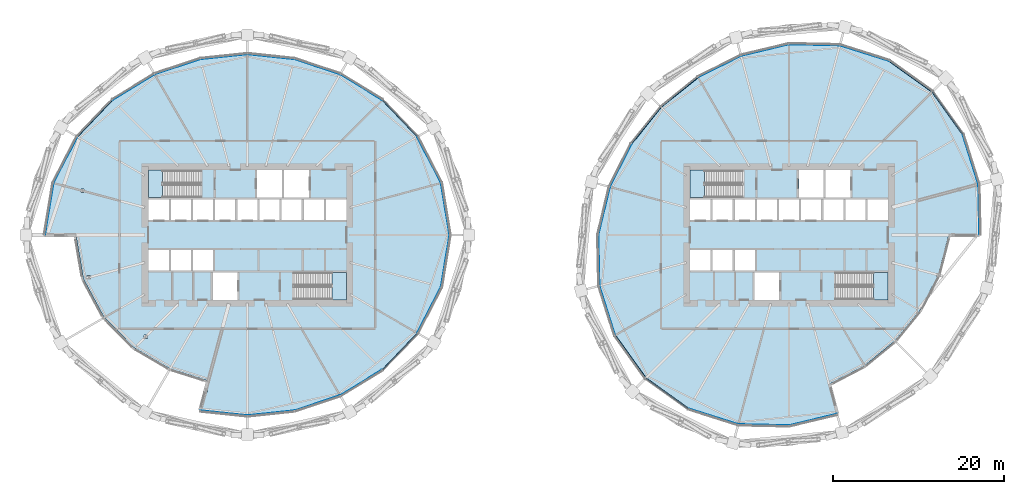
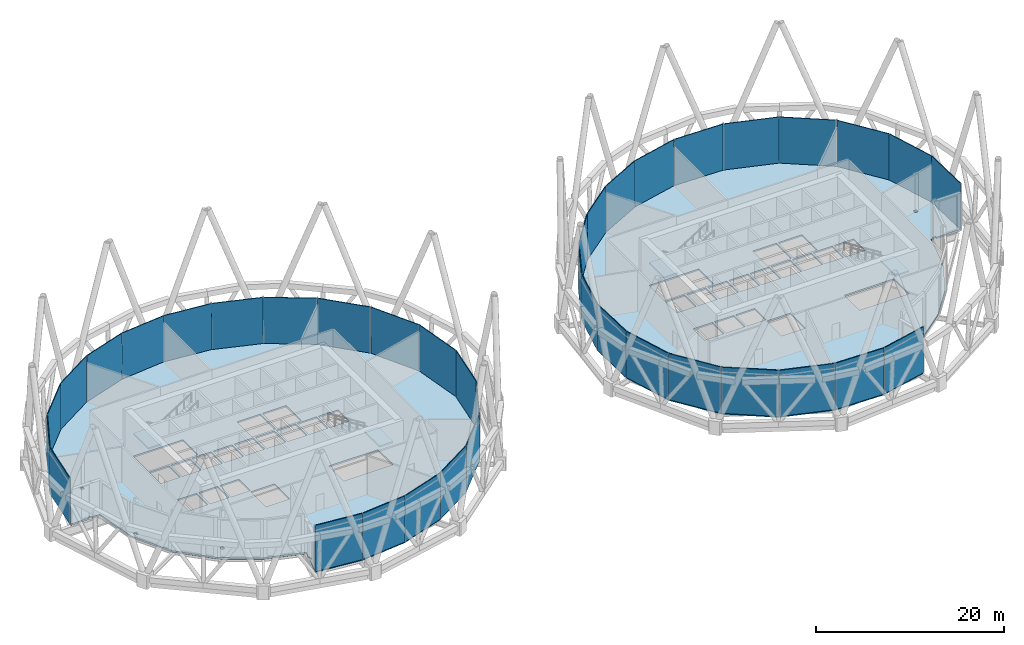
# One storey, part 25 of 33: 38 plates, 6 slabs, 6 elements without a shape of their own.
"""IFC4 building model written with IfcOpenShell, lengths in metres."""

from ifc_helpers import new_model, si_unit, direction, frame, origin, origin_2d, place, context, subcontext, project, spatial, polyline, rectangle, outline, extrude, material, layer, layer_set, type_object, element, aggregate, save


model = new_model("IFC4")

# Units and contexts
model_context = context("Model", 3, precision=1e-05, world=origin(), true_north=direction((0.0, 1.0)))
body_context = subcontext(model_context, "Body", "Model", "MODEL_VIEW")
ifc_project = project(units=[si_unit("LENGTHUNIT", "METRE"), si_unit("AREAUNIT", "SQUARE_METRE"), si_unit("VOLUMEUNIT", "CUBIC_METRE"), si_unit("PLANEANGLEUNIT", "RADIAN"), si_unit("MASSUNIT", "GRAM", prefix="KILO")], contexts=[model_context])

# Site, building, storey
site_placement = place(None, origin())
site = spatial("IfcSite", under=ifc_project, at=site_placement, CompositionType="ELEMENT")
building_placement = place(site_placement, origin())
building = spatial("IfcBuilding", under=site, at=building_placement, Name="Rimbun Link Towers", CompositionType="ELEMENT")
storey_placement = place(building_placement, frame((0.0, 0.0, 75.60009765625)))
storey = spatial("IfcBuildingStorey", under=building, at=storey_placement, Name="L18", CompositionType="ELEMENT", Elevation=75.60009765625)

# Slabs
ifc_material_1 = material(Name="Concrete C35/45", Category="concrete")
ifc_layer_1 = layer(ifc_material_1, 0.199951171875)
ifc_layer_set_1 = layer_set([ifc_layer_1], Name="COMPOSITE FLOOR 200")
slab_type_1 = type_object("IfcSlabType", Name="COMPOSITE FLOOR 200", PredefinedType="FLOOR", material=ifc_layer_set_1)
slab_1_placement = place(storey_placement, frame((0.0, 0.0, -0.2001953125)))
element("IfcSlab", 1, at=slab_1_placement, inside=storey, type_object=slab_type_1, Name="Floor slab T1 L18", PredefinedType="FLOOR", context=body_context, shape_type="SweptSolid", body=[
    extrude(outline(polyline([(-55.455810546875, 0.0), (-54.45556640625, 6.083984375), (-51.65673828125, 11.4931640625), (-47.53857421875, 15.78857421875), (-42.61181640625, 18.8134765625), (-37.265869140625, 20.585205078125), (-31.75, 21.166015625), (-26.234130859375, 20.585205078125), (-20.88818359375, 18.8134765625), (-15.96142578125, 15.78857421875), (-11.84326171875, 11.4931640625), (-9.04443359375, 6.083984375), (-8.044189453125, 0.0), (-9.04443359375, -6.083984375), (-11.84326171875, -11.4931640625), (-15.96142578125, -15.78857421875), (-20.88818359375, -18.8134765625), (-26.234130859375, -20.585205078125), (-31.75, -21.166015625), (-37.265869140625, -20.585205078125), (-36.6787109375, -18.393798828125), (-36.426513671875, -18.393798828125), (-36.426513671875, -18.000244140625), (-36.5732421875, -18.000244140625), (-36.333984375, -17.10791015625), (-40.81201171875, -15.69580078125), (-44.992919921875, -13.242919921875), (-48.5390625, -9.693115234375), (-50.978271484375, -5.152099609375), (-51.85595703125, 0.0), (-52.786865234375, 0.0), (-52.786865234375, 0.19677734375), (-53.185791015625, 0.19677734375), (-53.185791015625, 0.0), (-55.455810546875, 0.0)]), holes=[polyline([(-43.486328125, -12.132568359375), (-43.486328125, -11.739013671875), (-43.88525390625, -11.739013671875), (-43.88525390625, -12.132568359375), (-43.486328125, -12.132568359375)]), polyline([(-50.126953125, -5.17431640625), (-50.126953125, -4.78076171875), (-50.52587890625, -4.78076171875), (-50.52587890625, -5.17431640625), (-50.126953125, -5.17431640625)]), polyline([(-40.95556640625, -4.14990234375), (-40.95556640625, -1.75), (-43.35009765625, -1.75), (-43.35009765625, -4.14990234375), (-40.95556640625, -4.14990234375)]), polyline([(-40.70556640625, -4.14990234375), (-38.361083984375, -4.14990234375), (-38.361083984375, -1.75), (-40.70556640625, -1.75), (-40.70556640625, -4.14990234375)]), polyline([(-38.111083984375, -4.14990234375), (-35.7666015625, -4.14990234375), (-35.7666015625, -1.75), (-38.111083984375, -1.75), (-38.111083984375, -4.14990234375)]), polyline([(-43.35009765625, 1.75), (-40.95556640625, 1.75), (-40.95556640625, 4.14990234375), (-43.35009765625, 4.14990234375), (-43.35009765625, 1.75)]), polyline([(-40.70556640625, 1.75), (-38.361083984375, 1.75), (-38.361083984375, 4.14990234375), (-40.70556640625, 4.14990234375), (-40.70556640625, 1.75)]), polyline([(-35.7666015625, 1.75), (-35.7666015625, 4.14990234375), (-38.111083984375, 4.14990234375), (-38.111083984375, 1.75), (-35.7666015625, 1.75)]), polyline([(-51.278076171875, 4.982421875), (-50.87890625, 4.982421875), (-50.87890625, 5.3759765625), (-51.278076171875, 5.3759765625), (-51.278076171875, 4.982421875)]), polyline([(-43.35009765625, 4.39990234375), (-37.260009765625, 4.39990234375), (-37.260009765625, 7.60009765625), (-43.35009765625, 7.60009765625), (-43.35009765625, 4.39990234375)]), polyline([(-32.89990234375, -7.60009765625), (-32.89990234375, -4.39990234375), (-35.800048828125, -4.39990234375), (-35.800048828125, -7.60009765625), (-32.89990234375, -7.60009765625)]), polyline([(-20.14990234375, -7.60009765625), (-20.14990234375, -4.39990234375), (-26.239990234375, -4.39990234375), (-26.239990234375, -7.60009765625), (-20.14990234375, -7.60009765625)]), polyline([(-35.5166015625, 1.75), (-33.172119140625, 1.75), (-33.172119140625, 4.14990234375), (-35.5166015625, 4.14990234375), (-35.5166015625, 1.75)]), polyline([(-32.922119140625, 1.75), (-30.577880859375, 1.75), (-30.577880859375, 4.14990234375), (-32.922119140625, 4.14990234375), (-32.922119140625, 1.75)]), polyline([(-27.9833984375, 1.75), (-27.9833984375, 4.14990234375), (-30.327880859375, 4.14990234375), (-30.327880859375, 1.75), (-27.9833984375, 1.75)]), polyline([(-27.7333984375, 1.75), (-25.388916015625, 1.75), (-25.388916015625, 4.14990234375), (-27.7333984375, 4.14990234375), (-27.7333984375, 1.75)]), polyline([(-25.138916015625, 1.75), (-22.79443359375, 1.75), (-22.79443359375, 4.14990234375), (-25.138916015625, 4.14990234375), (-25.138916015625, 1.75)]), polyline([(-20.14990234375, 1.75), (-20.14990234375, 4.14990234375), (-22.54443359375, 4.14990234375), (-22.54443359375, 1.75), (-20.14990234375, 1.75)]), polyline([(-30.60009765625, 4.39990234375), (-27.699951171875, 4.39990234375), (-27.699951171875, 7.60009765625), (-30.60009765625, 7.60009765625), (-30.60009765625, 4.39990234375)]), polyline([(-27.449951171875, 4.39990234375), (-24.550048828125, 4.39990234375), (-24.550048828125, 7.60009765625), (-27.449951171875, 7.60009765625), (-27.449951171875, 4.39990234375)])]), origin(), (0.0, 0.0, 1.0), 0.2001953125),
])
slab_2_placement = place(storey_placement, frame((0.0, 0.0, -0.2001953125)))
element("IfcSlab", 2, at=slab_2_placement, inside=storey, type_object=slab_type_1, Name="Floor slab T2 L18", PredefinedType="FLOOR", context=body_context, shape_type="SweptSolid", body=[
    extrude(outline(polyline([(47.08837890625, -8.855712890625), (44.1708984375, -12.4208984375), (40.605712890625, -15.33837890625), (36.44091796875, -17.50634765625), (37.37255859375, -20.983642578125), (31.75, -22.328369140625), (25.80078125, -22.202880859375), (19.996826171875, -20.357177734375), (14.9873046875, -16.7626953125), (11.392822265625, -11.753173828125), (9.547119140625, -5.94921875), (9.421630859375, 0.0), (10.766357421875, 5.62255859375), (13.2939453125, 10.655517578125), (16.783447265625, 14.966552734375), (21.094482421875, 18.4560546875), (26.12744140625, 20.983642578125), (31.75, 22.328369140625), (37.69921875, 22.202880859375), (43.503173828125, 20.357177734375), (48.5126953125, 16.7626953125), (52.107177734375, 11.753173828125), (53.952880859375, 5.94921875), (54.078369140625, 0.0), (51.148681640625, 0.0), (51.148681640625, 0.19677734375), (50.749755859375, 0.19677734375), (50.749755859375, 0.0), (50.478271484375, 0.0), (49.3076171875, -4.494384765625), (49.057861328125, -4.494384765625), (49.057861328125, -4.887939453125), (49.15380859375, -4.887939453125), (47.08837890625, -8.855712890625)]), holes=[polyline([(30.60009765625, -7.60009765625), (30.60009765625, -4.39990234375), (27.699951171875, -4.39990234375), (27.699951171875, -7.60009765625), (30.60009765625, -7.60009765625)]), polyline([(22.54443359375, -4.14990234375), (22.54443359375, -1.75), (20.14990234375, -1.75), (20.14990234375, -4.14990234375), (22.54443359375, -4.14990234375)]), polyline([(25.138916015625, -4.14990234375), (25.138916015625, -1.75), (22.79443359375, -1.75), (22.79443359375, -4.14990234375), (25.138916015625, -4.14990234375)]), polyline([(25.388916015625, -4.14990234375), (27.7333984375, -4.14990234375), (27.7333984375, -1.75), (25.388916015625, -1.75), (25.388916015625, -4.14990234375)]), polyline([(20.14990234375, 1.75), (22.54443359375, 1.75), (22.54443359375, 4.14990234375), (20.14990234375, 4.14990234375), (20.14990234375, 1.75)]), polyline([(25.138916015625, 1.75), (25.138916015625, 4.14990234375), (22.79443359375, 4.14990234375), (22.79443359375, 1.75), (25.138916015625, 1.75)]), polyline([(27.7333984375, 1.75), (27.7333984375, 4.14990234375), (25.388916015625, 4.14990234375), (25.388916015625, 1.75), (27.7333984375, 1.75)]), polyline([(30.327880859375, 1.75), (30.327880859375, 4.14990234375), (27.9833984375, 4.14990234375), (27.9833984375, 1.75), (30.327880859375, 1.75)]), polyline([(30.577880859375, 1.75), (32.922119140625, 1.75), (32.922119140625, 4.14990234375), (30.577880859375, 4.14990234375), (30.577880859375, 1.75)]), polyline([(20.14990234375, 4.39990234375), (26.239990234375, 4.39990234375), (26.239990234375, 7.60009765625), (20.14990234375, 7.60009765625), (20.14990234375, 4.39990234375)]), polyline([(43.35009765625, -7.60009765625), (43.35009765625, -4.39990234375), (37.260009765625, -4.39990234375), (37.260009765625, -7.60009765625), (43.35009765625, -7.60009765625)]), polyline([(33.172119140625, 1.75), (35.5166015625, 1.75), (35.5166015625, 4.14990234375), (33.172119140625, 4.14990234375), (33.172119140625, 1.75)]), polyline([(35.7666015625, 1.75), (38.111083984375, 1.75), (38.111083984375, 4.14990234375), (35.7666015625, 4.14990234375), (35.7666015625, 1.75)]), polyline([(40.70556640625, 1.75), (40.70556640625, 4.14990234375), (38.361083984375, 4.14990234375), (38.361083984375, 1.75), (40.70556640625, 1.75)]), polyline([(43.35009765625, 1.75), (43.35009765625, 4.14990234375), (40.95556640625, 4.14990234375), (40.95556640625, 1.75), (43.35009765625, 1.75)]), polyline([(51.851318359375, 5.135986328125), (51.851318359375, 5.529541015625), (51.452392578125, 5.529541015625), (51.452392578125, 5.135986328125), (51.851318359375, 5.135986328125)]), polyline([(32.89990234375, 4.39990234375), (35.800048828125, 4.39990234375), (35.800048828125, 7.60009765625), (32.89990234375, 7.60009765625), (32.89990234375, 4.39990234375)]), polyline([(36.050048828125, 4.39990234375), (38.949951171875, 4.39990234375), (38.949951171875, 7.60009765625), (36.050048828125, 7.60009765625), (36.050048828125, 4.39990234375)])]), origin(), (0.0, 0.0, 1.0), 0.2001953125),
])

# Curtain wall, plates
ifc_material_2 = material(Name="Aluminium 6063-T6 louvre wall", Category="aluminium")
curtain_wall_type = type_object("IfcCurtainWallType", Name="CW6 plant floor louvre wall", PredefinedType="NOTDEFINED", material=ifc_material_2)
curtain_wall_1_placement = place(storey_placement, origin())
curtain_wall_1 = element("IfcCurtainWall", 3, at=curtain_wall_1_placement, inside=storey, type_object=curtain_wall_type, Name="CW6 L18 T1", PredefinedType="NOTDEFINED")
ifc_material_3 = material(Name="Aluminium louvre panel", Category="aluminium")
ifc_layer_2 = layer(ifc_material_3, 0.10009765625)
ifc_layer_set_2 = layer_set([ifc_layer_2], Name="CW6 panel Aluminium louvre panel 100")
plate_type = type_object("IfcPlateType", Name="CW6 panel Aluminium louvre panel 100", PredefinedType="CURTAIN_PANEL", material=ifc_layer_set_2)
plate_1_placement = place(storey_placement, frame((-8.494873046875, 3.050048828125, 0.0), z_axis=(0.0, 0.0, 1.0), x_axis=(0.162255058613, -0.986748851509, 0.0)))
plate_1 = element("IfcPlate", 4, at=plate_1_placement, type_object=plate_type, Name="CW6 louvre panel", PredefinedType="CURTAIN_PANEL", context=body_context, shape_type="SweptSolid", body=[
    extrude(rectangle(XDim=6.12548828125, YDim=0.10009765625, at=origin_2d()), origin(), (0.0, 0.0, 1.0), 6.0),
])
plate_2_placement = place(storey_placement, frame((-10.3994140625, 8.8115234375, 0.0), z_axis=(0.0, 0.0, 1.0), x_axis=(0.459544411514, -0.888154791602, 0.0)))
plate_2 = element("IfcPlate", 5, at=plate_2_placement, type_object=plate_type, Name="CW6 louvre panel", PredefinedType="CURTAIN_PANEL", context=body_context, shape_type="SweptSolid", body=[
    extrude(rectangle(XDim=6.05029296875, YDim=0.10009765625, at=origin_2d()), origin(), (0.0, 0.0, 1.0), 6.0),
])
plate_3_placement = place(storey_placement, frame((-13.8662109375, 13.67529296875, 0.0), z_axis=(0.0, 0.0, 1.0), x_axis=(0.692060834658, -0.721839179549, 0.0)))
plate_3 = element("IfcPlate", 6, at=plate_3_placement, type_object=plate_type, Name="CW6 louvre panel", PredefinedType="CURTAIN_PANEL", context=body_context, shape_type="SweptSolid", body=[
    extrude(rectangle(XDim=5.91064453125, YDim=0.10009765625, at=origin_2d()), origin(), (0.0, 0.0, 1.0), 6.0),
])
plate_4_placement = place(storey_placement, frame((-18.398681640625, 17.343505859375, 0.0), z_axis=(0.0, 0.0, 1.0), x_axis=(0.852187057689, -0.523237248968, 0.0)))
plate_4 = element("IfcPlate", 7, at=plate_4_placement, type_object=plate_type, Name="CW6 louvre panel", PredefinedType="CURTAIN_PANEL", context=body_context, shape_type="SweptSolid", body=[
    extrude(rectangle(XDim=5.7412109375, YDim=0.10009765625, at=origin_2d()), origin(), (0.0, 0.0, 1.0), 6.0),
])
plate_5_placement = place(storey_placement, frame((-23.54541015625, 19.746826171875, 0.0), z_axis=(0.0, 0.0, 1.0), x_axis=(0.949232284646, -0.314576015911, 0.0)))
plate_5 = element("IfcPlate", 8, at=plate_5_placement, type_object=plate_type, Name="CW6 louvre panel", PredefinedType="CURTAIN_PANEL", context=body_context, shape_type="SweptSolid", body=[
    extrude(rectangle(XDim=5.592041015625, YDim=0.10009765625, at=origin_2d()), origin(), (0.0, 0.0, 1.0), 6.0),
])
plate_6_placement = place(storey_placement, frame((-28.98681640625, 20.92529296875, 0.0), z_axis=(0.0, 0.0, 1.0), x_axis=(0.994500017876, -0.104736404583, 0.0)))
plate_6 = element("IfcPlate", 9, at=plate_6_placement, type_object=plate_type, Name="CW6 louvre panel", PredefinedType="CURTAIN_PANEL", context=body_context, shape_type="SweptSolid", body=[
    extrude(rectangle(XDim=5.50634765625, YDim=0.10009765625, at=origin_2d()), origin(), (0.0, 0.0, 1.0), 6.0),
])
plate_7_placement = place(storey_placement, frame((-34.51318359375, 20.92529296875, 0.0), z_axis=(0.0, 0.0, 1.0), x_axis=(0.994500017876, 0.104736404583, 0.0)))
plate_7 = element("IfcPlate", 10, at=plate_7_placement, type_object=plate_type, Name="CW6 louvre panel", PredefinedType="CURTAIN_PANEL", context=body_context, shape_type="SweptSolid", body=[
    extrude(rectangle(XDim=5.50634765625, YDim=0.10009765625, at=origin_2d()), origin(), (0.0, 0.0, 1.0), 6.0),
])
plate_8_placement = place(storey_placement, frame((-39.95458984375, 19.746826171875, 0.0), z_axis=(0.0, 0.0, 1.0), x_axis=(0.949232284646, 0.314576015911, 0.0)))
plate_8 = element("IfcPlate", 11, at=plate_8_placement, type_object=plate_type, Name="CW6 louvre panel", PredefinedType="CURTAIN_PANEL", context=body_context, shape_type="SweptSolid", body=[
    extrude(rectangle(XDim=5.592041015625, YDim=0.10009765625, at=origin_2d()), origin(), (0.0, 0.0, 1.0), 6.0),
])
plate_9_placement = place(storey_placement, frame((-45.101318359375, 17.343505859375, 0.0), z_axis=(0.0, 0.0, 1.0), x_axis=(0.852187057689, 0.523237248968, 0.0)))
plate_9 = element("IfcPlate", 12, at=plate_9_placement, type_object=plate_type, Name="CW6 louvre panel", PredefinedType="CURTAIN_PANEL", context=body_context, shape_type="SweptSolid", body=[
    extrude(rectangle(XDim=5.7412109375, YDim=0.10009765625, at=origin_2d()), origin(), (0.0, 0.0, 1.0), 6.0),
])
plate_10_placement = place(storey_placement, frame((-49.6337890625, 13.67529296875, 0.0), z_axis=(0.0, 0.0, 1.0), x_axis=(0.692060834658, 0.721839179549, 0.0)))
plate_10 = element("IfcPlate", 13, at=plate_10_placement, type_object=plate_type, Name="CW6 louvre panel", PredefinedType="CURTAIN_PANEL", context=body_context, shape_type="SweptSolid", body=[
    extrude(rectangle(XDim=5.91064453125, YDim=0.10009765625, at=origin_2d()), origin(), (0.0, 0.0, 1.0), 6.0),
])
plate_11_placement = place(storey_placement, frame((-53.1005859375, 8.8115234375, 0.0), z_axis=(0.0, 0.0, 1.0), x_axis=(0.459544411514, 0.888154791602, 0.0)))
plate_11 = element("IfcPlate", 14, at=plate_11_placement, type_object=plate_type, Name="CW6 louvre panel", PredefinedType="CURTAIN_PANEL", context=body_context, shape_type="SweptSolid", body=[
    extrude(rectangle(XDim=6.05029296875, YDim=0.10009765625, at=origin_2d()), origin(), (0.0, 0.0, 1.0), 6.0),
])
plate_12_placement = place(storey_placement, frame((-55.005126953125, 3.050048828125, 0.0), z_axis=(0.0, 0.0, 1.0), x_axis=(0.162255058613, 0.986748851509, 0.0)))
plate_12 = element("IfcPlate", 15, at=plate_12_placement, type_object=plate_type, Name="CW6 louvre panel", PredefinedType="CURTAIN_PANEL", context=body_context, shape_type="SweptSolid", body=[
    extrude(rectangle(XDim=6.12548828125, YDim=0.10009765625, at=origin_2d()), origin(), (0.0, 0.0, 1.0), 6.0),
])
plate_13_placement = place(storey_placement, frame((-34.51318359375, -20.92529296875, 0.0), z_axis=(0.0, 0.0, 1.0), x_axis=(-0.994500017876, 0.104736404583, 0.0)))
plate_13 = element("IfcPlate", 16, at=plate_13_placement, type_object=plate_type, Name="CW6 louvre panel", PredefinedType="CURTAIN_PANEL", context=body_context, shape_type="SweptSolid", body=[
    extrude(rectangle(XDim=5.50634765625, YDim=0.10009765625, at=origin_2d()), origin(), (0.0, 0.0, 1.0), 6.0),
])
plate_14_placement = place(storey_placement, frame((-28.98681640625, -20.92529296875, 0.0), z_axis=(0.0, 0.0, 1.0), x_axis=(-0.994500017876, -0.104736404583, 0.0)))
plate_14 = element("IfcPlate", 17, at=plate_14_placement, type_object=plate_type, Name="CW6 louvre panel", PredefinedType="CURTAIN_PANEL", context=body_context, shape_type="SweptSolid", body=[
    extrude(rectangle(XDim=5.50634765625, YDim=0.10009765625, at=origin_2d()), origin(), (0.0, 0.0, 1.0), 6.0),
])
plate_15_placement = place(storey_placement, frame((-23.54541015625, -19.746826171875, 0.0), z_axis=(0.0, 0.0, 1.0), x_axis=(-0.949232284646, -0.314576015911, 0.0)))
plate_15 = element("IfcPlate", 18, at=plate_15_placement, type_object=plate_type, Name="CW6 louvre panel", PredefinedType="CURTAIN_PANEL", context=body_context, shape_type="SweptSolid", body=[
    extrude(rectangle(XDim=5.592041015625, YDim=0.10009765625, at=origin_2d()), origin(), (0.0, 0.0, 1.0), 6.0),
])
plate_16_placement = place(storey_placement, frame((-18.398681640625, -17.343505859375, 0.0), z_axis=(0.0, 0.0, 1.0), x_axis=(-0.852187057689, -0.523237248968, 0.0)))
plate_16 = element("IfcPlate", 19, at=plate_16_placement, type_object=plate_type, Name="CW6 louvre panel", PredefinedType="CURTAIN_PANEL", context=body_context, shape_type="SweptSolid", body=[
    extrude(rectangle(XDim=5.7412109375, YDim=0.10009765625, at=origin_2d()), origin(), (0.0, 0.0, 1.0), 6.0),
])
plate_17_placement = place(storey_placement, frame((-13.8662109375, -13.67529296875, 0.0), z_axis=(0.0, 0.0, 1.0), x_axis=(-0.692060834658, -0.721839179549, 0.0)))
plate_17 = element("IfcPlate", 20, at=plate_17_placement, type_object=plate_type, Name="CW6 louvre panel", PredefinedType="CURTAIN_PANEL", context=body_context, shape_type="SweptSolid", body=[
    extrude(rectangle(XDim=5.91064453125, YDim=0.10009765625, at=origin_2d()), origin(), (0.0, 0.0, 1.0), 6.0),
])
plate_18_placement = place(storey_placement, frame((-10.3994140625, -8.8115234375, 0.0), z_axis=(0.0, 0.0, 1.0), x_axis=(-0.459544411514, -0.888154791602, 0.0)))
plate_18 = element("IfcPlate", 21, at=plate_18_placement, type_object=plate_type, Name="CW6 louvre panel", PredefinedType="CURTAIN_PANEL", context=body_context, shape_type="SweptSolid", body=[
    extrude(rectangle(XDim=6.05029296875, YDim=0.10009765625, at=origin_2d()), origin(), (0.0, 0.0, 1.0), 6.0),
])
plate_19_placement = place(storey_placement, frame((-8.494873046875, -3.050048828125, 0.0), z_axis=(0.0, 0.0, 1.0), x_axis=(-0.162255058613, -0.986748851509, 0.0)))
plate_19 = element("IfcPlate", 22, at=plate_19_placement, type_object=plate_type, Name="CW6 louvre panel", PredefinedType="CURTAIN_PANEL", context=body_context, shape_type="SweptSolid", body=[
    extrude(rectangle(XDim=6.12548828125, YDim=0.10009765625, at=origin_2d()), origin(), (0.0, 0.0, 1.0), 6.0),
])
aggregate(curtain_wall_1, [plate_1, plate_2, plate_3, plate_4, plate_5, plate_6, plate_7, plate_8, plate_9, plate_10, plate_11, plate_12, plate_13, plate_14, plate_15, plate_16, plate_17, plate_18, plate_19])

curtain_wall_2_placement = place(storey_placement, origin())
curtain_wall_2 = element("IfcCurtainWall", 23, at=curtain_wall_2_placement, inside=storey, type_object=curtain_wall_type, Name="CW6 L18 T2", PredefinedType="NOTDEFINED")
plate_20_placement = place(storey_placement, frame((46.037109375, 18.6005859375, 0.0), z_axis=(0.0, 0.0, 1.0), x_axis=(0.812469108412, -0.583004243446, 0.0)))
plate_20 = element("IfcPlate", 24, at=plate_20_placement, type_object=plate_type, Name="CW6 louvre panel", PredefinedType="CURTAIN_PANEL", context=body_context, shape_type="SweptSolid", body=[
    extrude(rectangle(XDim=6.125732421875, YDim=0.10009765625, at=origin_2d()), origin(), (0.0, 0.0, 1.0), 6.0),
])
plate_21_placement = place(storey_placement, frame((40.616455078125, 21.32763671875, 0.0), z_axis=(0.0, 0.0, 1.0), x_axis=(0.952968251743, -0.303070142328, 0.0)))
plate_21 = element("IfcPlate", 25, at=plate_21_placement, type_object=plate_type, Name="CW6 louvre panel", PredefinedType="CURTAIN_PANEL", context=body_context, shape_type="SweptSolid", body=[
    extrude(rectangle(XDim=6.05029296875, YDim=0.10009765625, at=origin_2d()), origin(), (0.0, 0.0, 1.0), 6.0),
])
plate_22_placement = place(storey_placement, frame((34.7255859375, 22.315673828125, 0.0), z_axis=(0.0, 0.0, 1.0), x_axis=(0.999778284552, -0.02105663171, 0.0)))
plate_22 = element("IfcPlate", 26, at=plate_22_placement, type_object=plate_type, Name="CW6 louvre panel", PredefinedType="CURTAIN_PANEL", context=body_context, shape_type="SweptSolid", body=[
    extrude(rectangle(XDim=5.91064453125, YDim=0.10009765625, at=origin_2d()), origin(), (0.0, 0.0, 1.0), 6.0),
])
plate_23_placement = place(storey_placement, frame((28.927001953125, 21.70458984375, 0.0), z_axis=(0.0, 0.0, 1.0), x_axis=(0.972576339867, 0.232583884072, 0.0)))
plate_23 = element("IfcPlate", 27, at=plate_23_placement, type_object=plate_type, Name="CW6 louvre panel", PredefinedType="CURTAIN_PANEL", context=body_context, shape_type="SweptSolid", body=[
    extrude(rectangle(XDim=5.7412109375, YDim=0.10009765625, at=origin_2d()), origin(), (0.0, 0.0, 1.0), 6.0),
])
plate_24_placement = place(storey_placement, frame((23.58837890625, 19.7646484375, 0.0), z_axis=(0.0, 0.0, 1.0), x_axis=(0.893637454336, 0.448789594585, 0.0)))
plate_24 = element("IfcPlate", 28, at=plate_24_placement, type_object=plate_type, Name="CW6 louvre panel", PredefinedType="CURTAIN_PANEL", context=body_context, shape_type="SweptSolid", body=[
    extrude(rectangle(XDim=5.592041015625, YDim=0.10009765625, at=origin_2d()), origin(), (0.0, 0.0, 1.0), 6.0),
])
plate_25_placement = place(storey_placement, frame((18.907470703125, 16.750244140625, 0.0), z_axis=(0.0, 0.0, 1.0), x_axis=(0.777276360608, 0.629159327388, 0.0)))
plate_25 = element("IfcPlate", 29, at=plate_25_placement, type_object=plate_type, Name="CW6 louvre panel", PredefinedType="CURTAIN_PANEL", context=body_context, shape_type="SweptSolid", body=[
    extrude(rectangle(XDim=5.50634765625, YDim=0.10009765625, at=origin_2d()), origin(), (0.0, 0.0, 1.0), 6.0),
])
plate_26_placement = place(storey_placement, frame((14.999755859375, 12.842529296875, 0.0), z_axis=(0.0, 0.0, 1.0), x_axis=(0.629159327388, 0.777276360608, 0.0)))
plate_26 = element("IfcPlate", 30, at=plate_26_placement, type_object=plate_type, Name="CW6 louvre panel", PredefinedType="CURTAIN_PANEL", context=body_context, shape_type="SweptSolid", body=[
    extrude(rectangle(XDim=5.50634765625, YDim=0.10009765625, at=origin_2d()), origin(), (0.0, 0.0, 1.0), 6.0),
])
plate_27_placement = place(storey_placement, frame((11.9853515625, 8.16162109375, 0.0), z_axis=(0.0, 0.0, 1.0), x_axis=(0.448789594585, 0.893637454336, 0.0)))
plate_27 = element("IfcPlate", 31, at=plate_27_placement, type_object=plate_type, Name="CW6 louvre panel", PredefinedType="CURTAIN_PANEL", context=body_context, shape_type="SweptSolid", body=[
    extrude(rectangle(XDim=5.592041015625, YDim=0.10009765625, at=origin_2d()), origin(), (0.0, 0.0, 1.0), 6.0),
])
plate_28_placement = place(storey_placement, frame((10.04541015625, 2.822998046875, 0.0), z_axis=(0.0, 0.0, 1.0), x_axis=(0.232583884072, 0.972576339867, 0.0)))
plate_28 = element("IfcPlate", 32, at=plate_28_placement, type_object=plate_type, Name="CW6 louvre panel", PredefinedType="CURTAIN_PANEL", context=body_context, shape_type="SweptSolid", body=[
    extrude(rectangle(XDim=5.7412109375, YDim=0.10009765625, at=origin_2d()), origin(), (0.0, 0.0, 1.0), 6.0),
])
plate_29_placement = place(storey_placement, frame((9.434326171875, -2.9755859375, 0.0), z_axis=(0.0, 0.0, 1.0), x_axis=(-0.02105663171, 0.999778284552, 0.0)))
plate_29 = element("IfcPlate", 33, at=plate_29_placement, type_object=plate_type, Name="CW6 louvre panel", PredefinedType="CURTAIN_PANEL", context=body_context, shape_type="SweptSolid", body=[
    extrude(rectangle(XDim=5.91064453125, YDim=0.10009765625, at=origin_2d()), origin(), (0.0, 0.0, 1.0), 6.0),
])
plate_30_placement = place(storey_placement, frame((10.42236328125, -8.866455078125, 0.0), z_axis=(0.0, 0.0, 1.0), x_axis=(-0.303070142328, 0.952968251743, 0.0)))
plate_30 = element("IfcPlate", 34, at=plate_30_placement, type_object=plate_type, Name="CW6 louvre panel", PredefinedType="CURTAIN_PANEL", context=body_context, shape_type="SweptSolid", body=[
    extrude(rectangle(XDim=6.05029296875, YDim=0.10009765625, at=origin_2d()), origin(), (0.0, 0.0, 1.0), 6.0),
])
plate_31_placement = place(storey_placement, frame((13.1494140625, -14.287109375, 0.0), z_axis=(0.0, 0.0, 1.0), x_axis=(-0.583004243446, 0.812469108412, 0.0)))
plate_31 = element("IfcPlate", 35, at=plate_31_placement, type_object=plate_type, Name="CW6 louvre panel", PredefinedType="CURTAIN_PANEL", context=body_context, shape_type="SweptSolid", body=[
    extrude(rectangle(XDim=6.125732421875, YDim=0.10009765625, at=origin_2d()), origin(), (0.0, 0.0, 1.0), 6.0),
])
plate_32_placement = place(storey_placement, frame((17.462890625, -18.6005859375, 0.0), z_axis=(0.0, 0.0, 1.0), x_axis=(-0.812469108412, 0.583004243446, 0.0)))
plate_32 = element("IfcPlate", 36, at=plate_32_placement, type_object=plate_type, Name="CW6 louvre panel", PredefinedType="CURTAIN_PANEL", context=body_context, shape_type="SweptSolid", body=[
    extrude(rectangle(XDim=6.125732421875, YDim=0.10009765625, at=origin_2d()), origin(), (0.0, 0.0, 1.0), 6.0),
])
plate_33_placement = place(storey_placement, frame((22.883544921875, -21.32763671875, 0.0), z_axis=(0.0, 0.0, 1.0), x_axis=(-0.952968251743, 0.303070142328, 0.0)))
plate_33 = element("IfcPlate", 37, at=plate_33_placement, type_object=plate_type, Name="CW6 louvre panel", PredefinedType="CURTAIN_PANEL", context=body_context, shape_type="SweptSolid", body=[
    extrude(rectangle(XDim=6.05029296875, YDim=0.10009765625, at=origin_2d()), origin(), (0.0, 0.0, 1.0), 6.0),
])
plate_34_placement = place(storey_placement, frame((28.7744140625, -22.315673828125, 0.0), z_axis=(0.0, 0.0, 1.0), x_axis=(-0.999778284552, 0.02105663171, 0.0)))
plate_34 = element("IfcPlate", 38, at=plate_34_placement, type_object=plate_type, Name="CW6 louvre panel", PredefinedType="CURTAIN_PANEL", context=body_context, shape_type="SweptSolid", body=[
    extrude(rectangle(XDim=5.91064453125, YDim=0.10009765625, at=origin_2d()), origin(), (0.0, 0.0, 1.0), 6.0),
])
plate_35_placement = place(storey_placement, frame((34.572998046875, -21.70458984375, 0.0), z_axis=(0.0, 0.0, 1.0), x_axis=(-0.972576339867, -0.232583884072, 0.0)))
plate_35 = element("IfcPlate", 39, at=plate_35_placement, type_object=plate_type, Name="CW6 louvre panel", PredefinedType="CURTAIN_PANEL", context=body_context, shape_type="SweptSolid", body=[
    extrude(rectangle(XDim=5.7412109375, YDim=0.10009765625, at=origin_2d()), origin(), (0.0, 0.0, 1.0), 6.0),
])
plate_36_placement = place(storey_placement, frame((54.065673828125, 2.9755859375, 0.0), z_axis=(0.0, 0.0, 1.0), x_axis=(0.02105663171, -0.999778284552, 0.0)))
plate_36 = element("IfcPlate", 40, at=plate_36_placement, type_object=plate_type, Name="CW6 louvre panel", PredefinedType="CURTAIN_PANEL", context=body_context, shape_type="SweptSolid", body=[
    extrude(rectangle(XDim=5.91064453125, YDim=0.10009765625, at=origin_2d()), origin(), (0.0, 0.0, 1.0), 6.0),
])
plate_37_placement = place(storey_placement, frame((53.07763671875, 8.866455078125, 0.0), z_axis=(0.0, 0.0, 1.0), x_axis=(0.303070142328, -0.952968251743, 0.0)))
plate_37 = element("IfcPlate", 41, at=plate_37_placement, type_object=plate_type, Name="CW6 louvre panel", PredefinedType="CURTAIN_PANEL", context=body_context, shape_type="SweptSolid", body=[
    extrude(rectangle(XDim=6.05029296875, YDim=0.10009765625, at=origin_2d()), origin(), (0.0, 0.0, 1.0), 6.0),
])
plate_38_placement = place(storey_placement, frame((50.3505859375, 14.287109375, 0.0), z_axis=(0.0, 0.0, 1.0), x_axis=(0.583004243446, -0.812469108412, 0.0)))
plate_38 = element("IfcPlate", 42, at=plate_38_placement, type_object=plate_type, Name="CW6 louvre panel", PredefinedType="CURTAIN_PANEL", context=body_context, shape_type="SweptSolid", body=[
    extrude(rectangle(XDim=6.125732421875, YDim=0.10009765625, at=origin_2d()), origin(), (0.0, 0.0, 1.0), 6.0),
])
aggregate(curtain_wall_2, [plate_20, plate_21, plate_22, plate_23, plate_24, plate_25, plate_26, plate_27, plate_28, plate_29, plate_30, plate_31, plate_32, plate_33, plate_34, plate_35, plate_36, plate_37, plate_38])

# Stair, slab
ifc_material_4 = material(Name="Concrete C40/50", Category="concrete")
stair_type = type_object("IfcStairType", Name="Exit stair 6000 rise", PredefinedType="HALF_TURN_STAIR", material=ifc_material_4)
stair_1_placement = place(storey_placement, origin())
stair_1 = element("IfcStair", 43, at=stair_1_placement, inside=storey, type_object=stair_type, Name="L18 EXIT STAIR A", PredefinedType="HALF_TURN_STAIR")
ifc_material_5 = material(Name="Concrete C40/50", Category="concrete")
ifc_layer_3 = layer(ifc_material_5, 0.199951171875)
ifc_layer_set_3 = layer_set([ifc_layer_3], Name="Stair landing")
slab_type_2 = type_object("IfcSlabType", Name="Stair landing", PredefinedType="LANDING", material=ifc_layer_set_3)
slab_3_placement = place(storey_placement, frame((0.0, 0.0, 2.7998046875)))
slab_3 = element("IfcSlab", 44, at=slab_3_placement, type_object=slab_type_2, Name="ST1 landing 1", PredefinedType="LANDING", context=body_context, shape_type="SweptSolid", body=[
    extrude(outline(polyline([(-41.679931640625, 7.60009765625), (-43.35009765625, 7.60009765625), (-43.35009765625, 4.39990234375), (-41.679931640625, 4.39990234375), (-41.679931640625, 7.60009765625)])), origin(), (0.0, 0.0, 1.0), 0.2001953125),
])
aggregate(stair_1, [slab_3])

stair_2_placement = place(storey_placement, origin())
stair_2 = element("IfcStair", 45, at=stair_2_placement, inside=storey, type_object=stair_type, Name="L18 EXIT STAIR B", PredefinedType="HALF_TURN_STAIR")
slab_4_placement = place(storey_placement, frame((0.0, 0.0, 2.7998046875)))
slab_4 = element("IfcSlab", 46, at=slab_4_placement, type_object=slab_type_2, Name="ST2 landing 1", PredefinedType="LANDING", context=body_context, shape_type="SweptSolid", body=[
    extrude(outline(polyline([(-21.820068359375, -7.60009765625), (-20.14990234375, -7.60009765625), (-20.14990234375, -4.39990234375), (-21.820068359375, -4.39990234375), (-21.820068359375, -7.60009765625)])), origin(), (0.0, 0.0, 1.0), 0.2001953125),
])
aggregate(stair_2, [slab_4])

stair_3_placement = place(storey_placement, origin())
stair_3 = element("IfcStair", 47, at=stair_3_placement, inside=storey, type_object=stair_type, Name="L18 EXIT STAIR A", PredefinedType="HALF_TURN_STAIR")
slab_5_placement = place(storey_placement, frame((0.0, 0.0, 2.7998046875)))
slab_5 = element("IfcSlab", 48, at=slab_5_placement, type_object=slab_type_2, Name="ST3 landing 1", PredefinedType="LANDING", context=body_context, shape_type="SweptSolid", body=[
    extrude(outline(polyline([(21.820068359375, 7.60009765625), (20.14990234375, 7.60009765625), (20.14990234375, 4.39990234375), (21.820068359375, 4.39990234375), (21.820068359375, 7.60009765625)])), origin(), (0.0, 0.0, 1.0), 0.2001953125),
])
aggregate(stair_3, [slab_5])

stair_4_placement = place(storey_placement, origin())
stair_4 = element("IfcStair", 49, at=stair_4_placement, inside=storey, type_object=stair_type, Name="L18 EXIT STAIR B", PredefinedType="HALF_TURN_STAIR")
slab_6_placement = place(storey_placement, frame((0.0, 0.0, 2.7998046875)))
slab_6 = element("IfcSlab", 50, at=slab_6_placement, type_object=slab_type_2, Name="ST4 landing 1", PredefinedType="LANDING", context=body_context, shape_type="SweptSolid", body=[
    extrude(outline(polyline([(41.679931640625, -7.60009765625), (43.35009765625, -7.60009765625), (43.35009765625, -4.39990234375), (41.679931640625, -4.39990234375), (41.679931640625, -7.60009765625)])), origin(), (0.0, 0.0, 1.0), 0.2001953125),
])
aggregate(stair_4, [slab_6])

save(model, "model.ifc")
